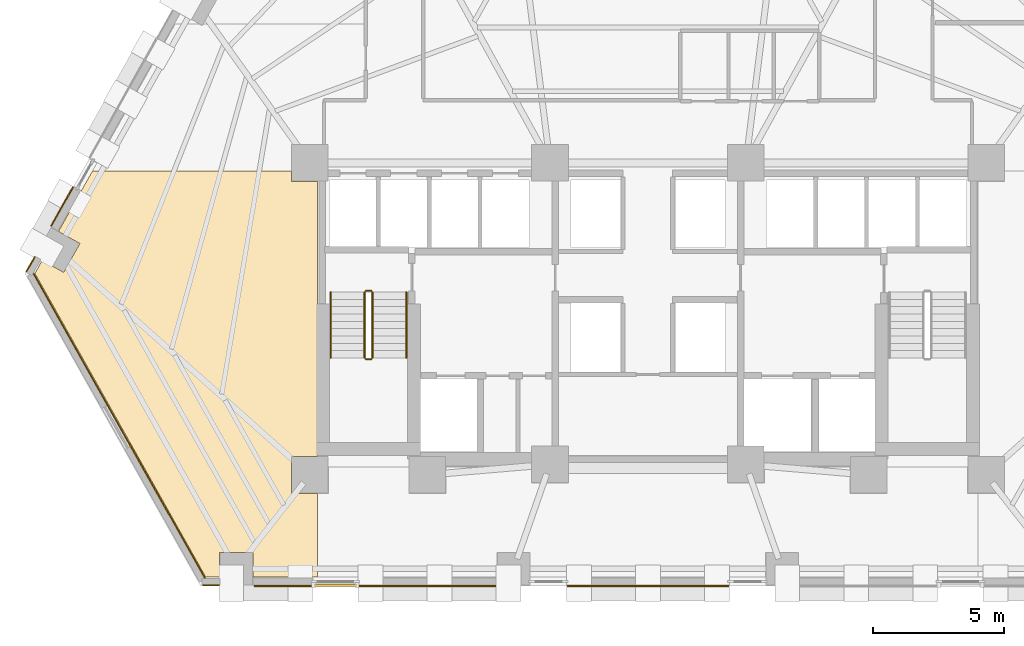
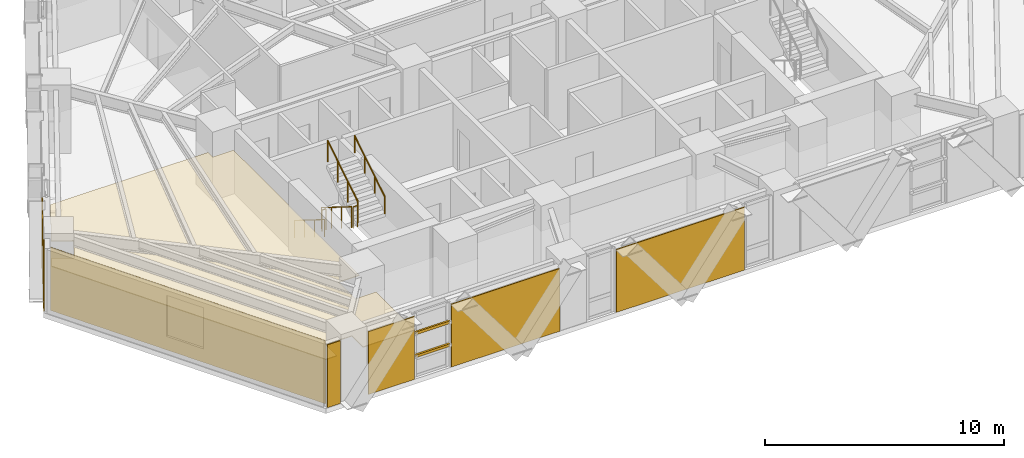
# One storey, part 10 of 13: 8 coverings, 6 railings, 2 shading devices.
"""IFC4 building model written with IfcOpenShell, lengths in metres."""

from ifc_helpers import new_model, si_unit, direction, frame, origin, origin_2d, place, context, subcontext, project, spatial, polyline, rectangle, circle, outline, extrude, material, layer, layer_set, material_profile, profile_set, type_object, element, save


model = new_model("IFC4")

# Units and contexts
model_context = context("Model", 3, precision=1e-05, world=origin(), true_north=direction((0.0, 1.0)))
body_context = subcontext(model_context, "Body", "Model", "MODEL_VIEW")
ifc_project = project(units=[si_unit("LENGTHUNIT", "METRE"), si_unit("AREAUNIT", "SQUARE_METRE"), si_unit("VOLUMEUNIT", "CUBIC_METRE"), si_unit("PLANEANGLEUNIT", "RADIAN"), si_unit("MASSUNIT", "GRAM", prefix="KILO")], contexts=[model_context])

# Site, building, storey
site_placement = place(None, origin())
site = spatial("IfcSite", under=ifc_project, at=site_placement, CompositionType="ELEMENT")
building_placement = place(site_placement, origin())
building = spatial("IfcBuilding", under=site, at=building_placement, Name="Quenlor Broadcast Tower", CompositionType="ELEMENT")
storey_placement = place(building_placement, frame((0.0, 0.0, 69.60009765625)))
storey = spatial("IfcBuildingStorey", under=building, at=storey_placement, Name="L18", CompositionType="ELEMENT", Elevation=69.60009765625)

# Covering
ifc_material_1 = material(Name="Acoustic Gypsum Board", Category="other")
ifc_layer_1 = layer(ifc_material_1, 0.0400390625)
ifc_layer_set_1 = layer_set([ifc_layer_1], Name="Broadcast Studio Spring Isolated Ceiling 40")
covering_type_1 = type_object("IfcCoveringType", Name="Broadcast Studio Spring Isolated Ceiling 40", PredefinedType="CEILING", material=ifc_layer_set_1)
covering_1_placement = place(storey_placement, frame((0.0, 0.0, 2.2099609375)))
element("IfcCovering", 1, at=covering_1_placement, inside=storey, type_object=covering_type_1, Name="L18 Acoustic Ceiling L18-37-3", PredefinedType="CEILING", context=body_context, shape_type="SweptSolid", body=[
    extrude(outline(polyline([(-13.657958984375, -5.508056640625), (-12.64990234375, -5.508056640625), (-12.64990234375, -16.0419921875), (-13.657958984375, -16.0419921875), (-13.657958984375, -17.4580078125), (-12.64990234375, -17.4580078125), (-12.64990234375, -20.659912109375), (-15.132080078125, -20.659912109375), (-15.132080078125, -19.717041015625), (-16.398193359375, -19.717041015625), (-16.398193359375, -20.659912109375), (-16.937255859375, -20.659912109375), (-23.477783203125, -9.031982421875), (-23.196533203125, -8.531982421875), (-22.374755859375, -8.994140625), (-21.754150390625, -7.890625), (-22.575927734375, -7.428466796875), (-21.27734375, -5.1201171875), (-13.657958984375, -5.1201171875), (-13.657958984375, -5.508056640625)])), origin(), (0.0, 0.0, 1.0), 0.0400390625),
])

# Shading devices
ifc_material_2 = material(Name="Architectural Terracotta Ceramic", Category="masonry")
ifc_material_profile = material_profile(ifc_material_2, rectangle(XDim=0.090087890625, YDim=0.139892578125, at=origin_2d()))
ifc_profile_set = profile_set([ifc_material_profile], Name="Architectural Terracotta Ceramic BAG90x140")
shading_device_type = type_object("IfcShadingDeviceType", Name="Copper Terracotta Baguette Solar Screen 140", PredefinedType="USERDEFINED", material=ifc_profile_set)
for number, where, z_axis, x_axis, name in (
    (2, (-11.146484375, -20.98291015625, 1.169921875), (-1.0, 0.0, 0.0), (0.0, -1.0, 0.0), "L18 Terracotta Baguette Screen 1"),
    (3, (-11.146484375, -20.98291015625, 2.33984375), (-1.0, 0.0, 0.0), (0.0, -1.0, 0.0), "L18 Terracotta Baguette Screen 2"),
):
    element("IfcShadingDevice", number, at=place(storey_placement, frame(where, z_axis=z_axis, x_axis=x_axis)), inside=storey, type_object=shading_device_type, Name=name, ObjectType="BAGUETTE", PredefinedType="USERDEFINED", context=body_context, shape_type="SweptSolid", body=[
        extrude(rectangle(XDim=0.090087890625, YDim=0.139892578125, at=origin_2d()), origin(), (0.0, 0.0, 1.0), 1.6484375),
    ])

# Coverings
ifc_material_3 = material(Name="Architectural Terracotta Ceramic", Category="masonry")
ifc_layer_2 = layer(ifc_material_3, 0.044921875)
ifc_layer_set_2 = layer_set([ifc_layer_2], Name="Fluted Terracotta Rainscreen Cladding Panel")
covering_type_2 = type_object("IfcCoveringType", Name="Fluted Terracotta Rainscreen Cladding Panel", PredefinedType="CLADDING", material=ifc_layer_set_2)
covering_2_placement = place(storey_placement, frame((0.0, 0.0, 0.02001953125)))
element("IfcCovering", 4, at=covering_2_placement, inside=storey, type_object=covering_type_2, Name="L18 Terracotta Rainscreen Cladding L18-SHD-SS1", PredefinedType="CLADDING", context=body_context, shape_type="SweptSolid", body=[
    extrude(outline(polyline([(-16.425048828125, -20.951904296875), (-17.0458984375, -20.951904296875), (-17.0458984375, -20.9970703125), (-16.425048828125, -20.9970703125), (-16.425048828125, -20.951904296875)])), origin(), (0.0, 0.0, 1.0), 3.2099609375),
])
covering_3_placement = place(storey_placement, frame((0.0, 0.0, 0.02001953125)))
element("IfcCovering", 5, at=covering_3_placement, inside=storey, type_object=covering_type_2, Name="L18 Terracotta Rainscreen Cladding L18-SC-SP1", PredefinedType="CLADDING", context=body_context, shape_type="SweptSolid", body=[
    extrude(outline(polyline([(-5.82080078125, -20.98193359375), (-11.07666015625, -20.98193359375), (-11.07666015625, -21.027099609375), (-5.82080078125, -21.027099609375), (-5.82080078125, -20.98193359375)])), origin(), (0.0, 0.0, 1.0), 3.2099609375),
])
covering_4_placement = place(storey_placement, frame((0.0, 0.0, 0.02001953125)))
element("IfcCovering", 6, at=covering_4_placement, inside=storey, type_object=covering_type_2, Name="L18 Terracotta Rainscreen Cladding L18-SC-SP2", PredefinedType="CLADDING", context=body_context, shape_type="SweptSolid", body=[
    extrude(outline(polyline([(-12.864990234375, -20.98193359375), (-15.085205078125, -20.98193359375), (-15.085205078125, -21.027099609375), (-12.864990234375, -21.027099609375), (-12.864990234375, -20.98193359375)])), origin(), (0.0, 0.0, 1.0), 3.2099609375),
])
covering_5_placement = place(storey_placement, frame((0.0, 0.0, 0.02001953125)))
element("IfcCovering", 7, at=covering_5_placement, inside=storey, type_object=covering_type_2, Name="L18 Terracotta Rainscreen Cladding L18-S-SP1", PredefinedType="CLADDING", context=body_context, shape_type="SweptSolid", body=[
    extrude(outline(polyline([(3.09619140625, -20.98193359375), (-3.09619140625, -20.98193359375), (-3.09619140625, -21.027099609375), (3.09619140625, -21.027099609375), (3.09619140625, -20.98193359375)])), origin(), (0.0, 0.0, 1.0), 3.2099609375),
])
covering_6_placement = place(storey_placement, frame((0.0, 0.0, 0.02001953125)))
element("IfcCovering", 8, at=covering_6_placement, inside=storey, type_object=covering_type_2, Name="L18 Terracotta Rainscreen Cladding L18-SHD-NWS0", PredefinedType="CLADDING", context=body_context, shape_type="SweptSolid", body=[
    extrude(outline(polyline([(-23.781982421875, -8.97705078125), (-23.464111328125, -8.412109375), (-23.50341796875, -8.39013671875), (-23.8212890625, -8.955078125), (-23.781982421875, -8.97705078125)])), origin(), (0.0, 0.0, 1.0), 3.2099609375),
])
covering_7_placement = place(storey_placement, frame((0.0, 0.0, 0.02001953125)))
element("IfcCovering", 9, at=covering_7_placement, inside=storey, type_object=covering_type_2, Name="L18 Terracotta Rainscreen Cladding L18-NWA-SP1", PredefinedType="CLADDING", context=body_context, shape_type="SweptSolid", body=[
    extrude(outline(polyline([(-22.83349609375, -7.2294921875), (-21.989013671875, -5.728271484375), (-22.0283203125, -5.706298828125), (-22.872802734375, -7.20751953125), (-22.83349609375, -7.2294921875)])), origin(), (0.0, 0.0, 1.0), 3.2099609375),
])
covering_8_placement = place(storey_placement, frame((0.0, 0.0, 0.02001953125)))
element("IfcCovering", 10, at=covering_8_placement, inside=storey, type_object=covering_type_2, Name="L18 Terracotta Rainscreen Cladding L18-CNR-04", PredefinedType="CLADDING", context=body_context, shape_type="SweptSolid", body=[
    extrude(outline(polyline([(-23.547607421875, -9.046875), (-16.98388671875, -20.71533203125), (-16.94482421875, -20.693359375), (-23.50830078125, -9.02490234375), (-23.547607421875, -9.046875)])), origin(), (0.0, 0.0, 1.0), 3.2099609375),
])

# Railings
ifc_material_4 = material(Name="Anodised Aluminium", Category="aluminium")
railing_type_1 = type_object("IfcRailingType", Name="Stainless Aluminium Wall Handrail 900", PredefinedType="HANDRAIL", material=ifc_material_4)
railing_1_placement = place(storey_placement, frame((-12.14990234375, -9.75, 0.1748046875)))
element("IfcRailing", 11, at=railing_1_placement, inside=storey, type_object=railing_type_1, Name="L18 ST-1 stair handrail 1", PredefinedType="HANDRAIL", context=body_context, shape_type="SweptSolid", body=[
    extrude(circle(Radius=0.02392578125, at=origin_2d()), frame((0.0, 0.0, 0.8759765625), z_axis=(0.0, -0.847970611238, 0.530043245855), x_axis=(1.0, 0.0, 0.0)), (0.0, 0.0, 1.0), 2.971923828125),
    extrude(circle(Radius=0.02099609375, at=origin_2d()), origin(), (0.0, 0.0, 1.0), 0.851806640625),
    extrude(circle(Radius=0.02099609375, at=origin_2d()), frame((0.0, -0.840087890625, 0.525146484375)), (0.0, 0.0, 1.0), 0.851806640625),
    extrude(circle(Radius=0.02099609375, at=origin_2d()), frame((0.0, -1.679931640625, 1.050048828125)), (0.0, 0.0, 1.0), 0.851806640625),
    extrude(circle(Radius=0.02099609375, at=origin_2d()), frame((0.0, -2.52001953125, 1.5751953125)), (0.0, 0.0, 1.0), 0.851806640625),
])
railing_2_placement = place(storey_placement, frame((-9.25, -12.27001953125, 1.9248046875)))
element("IfcRailing", 12, at=railing_2_placement, inside=storey, type_object=railing_type_1, Name="L18 ST-1 stair handrail 2", PredefinedType="HANDRAIL", context=body_context, shape_type="SweptSolid", body=[
    extrude(circle(Radius=0.02392578125, at=origin_2d()), frame((0.0, 0.0, 0.8759765625), z_axis=(0.0, 0.847970611238, 0.530043245855), x_axis=(-1.0, 0.0, 0.0)), (0.0, 0.0, 1.0), 2.971923828125),
    extrude(circle(Radius=0.02099609375, at=origin_2d()), origin(), (0.0, 0.0, 1.0), 0.851806640625),
    extrude(circle(Radius=0.02099609375, at=origin_2d()), frame((0.0, 0.840087890625, 0.525146484375)), (0.0, 0.0, 1.0), 0.851806640625),
    extrude(circle(Radius=0.02099609375, at=origin_2d()), frame((0.0, 1.679931640625, 1.050048828125)), (0.0, 0.0, 1.0), 0.851806640625),
    extrude(circle(Radius=0.02099609375, at=origin_2d()), frame((0.0, 2.52001953125, 1.5751953125)), (0.0, 0.0, 1.0), 0.851806640625),
])
ifc_material_5 = material(Name="Steel S355", Category="steel")
railing_type_2 = type_object("IfcRailingType", Name="Tubular Steel S355 Stair Guardrail 1100", PredefinedType="BALUSTRADE", material=ifc_material_5)
railing_3_placement = place(storey_placement, frame((-10.85009765625, -9.75, 0.1748046875)))
element("IfcRailing", 13, at=railing_3_placement, inside=storey, type_object=railing_type_2, Name="L18 ST-1 stair guard 1", PredefinedType="BALUSTRADE", context=body_context, shape_type="SweptSolid", body=[
    extrude(circle(Radius=0.02392578125, at=origin_2d()), frame((0.0, 0.0, 1.076171875), z_axis=(0.0, -0.847970611238, 0.530043245855), x_axis=(1.0, 0.0, 0.0)), (0.0, 0.0, 1.0), 2.971923828125),
    extrude(circle(Radius=0.02099609375, at=origin_2d()), origin(), (0.0, 0.0, 1.0), 1.052001953125),
    extrude(circle(Radius=0.02099609375, at=origin_2d()), frame((0.0, -0.840087890625, 0.525146484375)), (0.0, 0.0, 1.0), 1.052001953125),
    extrude(circle(Radius=0.02099609375, at=origin_2d()), frame((0.0, -1.679931640625, 1.050048828125)), (0.0, 0.0, 1.0), 1.052001953125),
    extrude(circle(Radius=0.02099609375, at=origin_2d()), frame((0.0, -2.52001953125, 1.5751953125)), (0.0, 0.0, 1.0), 1.052001953125),
])
railing_4_placement = place(storey_placement, frame((-10.800048828125, -12.320068359375, 1.75)))
element("IfcRailing", 14, at=railing_4_placement, inside=storey, type_object=railing_type_2, Name="L18 ST-1 stair guard 2", PredefinedType="BALUSTRADE", context=body_context, shape_type="SweptSolid", body=[
    extrude(circle(Radius=0.02392578125, at=origin_2d()), frame((0.0, 0.0, 1.076171875), z_axis=(1.0, 0.0, 0.0), x_axis=(0.0, 1.0, 0.0)), (0.0, 0.0, 1.0), 0.199951171875),
    extrude(circle(Radius=0.02099609375, at=origin_2d()), origin(), (0.0, 0.0, 1.0), 1.052001953125),
    extrude(circle(Radius=0.02099609375, at=origin_2d()), frame((0.199951171875, 0.0, 0.0)), (0.0, 0.0, 1.0), 1.052001953125),
])
railing_5_placement = place(storey_placement, frame((-10.550048828125, -12.27001953125, 1.9248046875)))
element("IfcRailing", 15, at=railing_5_placement, inside=storey, type_object=railing_type_2, Name="L18 ST-1 stair guard 3", PredefinedType="BALUSTRADE", context=body_context, shape_type="SweptSolid", body=[
    extrude(circle(Radius=0.02392578125, at=origin_2d()), frame((0.0, 0.0, 1.076171875), z_axis=(0.0, 0.847970611238, 0.530043245855), x_axis=(-1.0, 0.0, 0.0)), (0.0, 0.0, 1.0), 2.971923828125),
    extrude(circle(Radius=0.02099609375, at=origin_2d()), origin(), (0.0, 0.0, 1.0), 1.052001953125),
    extrude(circle(Radius=0.02099609375, at=origin_2d()), frame((0.0, 0.840087890625, 0.525146484375)), (0.0, 0.0, 1.0), 1.052001953125),
    extrude(circle(Radius=0.02099609375, at=origin_2d()), frame((0.0, 1.679931640625, 1.050048828125)), (0.0, 0.0, 1.0), 1.052001953125),
    extrude(circle(Radius=0.02099609375, at=origin_2d()), frame((0.0, 2.52001953125, 1.5751953125)), (0.0, 0.0, 1.0), 1.052001953125),
])
railing_6_placement = place(storey_placement, frame((-10.800048828125, -9.699951171875, 0.0)))
element("IfcRailing", 16, at=railing_6_placement, inside=storey, type_object=railing_type_2, Name="L18 ST-1 stair guard 4", PredefinedType="BALUSTRADE", context=body_context, shape_type="SweptSolid", body=[
    extrude(circle(Radius=0.02392578125, at=origin_2d()), frame((0.0, 0.0, 1.076171875), z_axis=(1.0, 0.0, 0.0), x_axis=(0.0, 1.0, 0.0)), (0.0, 0.0, 1.0), 0.199951171875),
    extrude(circle(Radius=0.02099609375, at=origin_2d()), origin(), (0.0, 0.0, 1.0), 1.052001953125),
    extrude(circle(Radius=0.02099609375, at=origin_2d()), frame((0.199951171875, 0.0, 0.0)), (0.0, 0.0, 1.0), 1.052001953125),
])

save(model, "model.ifc")
